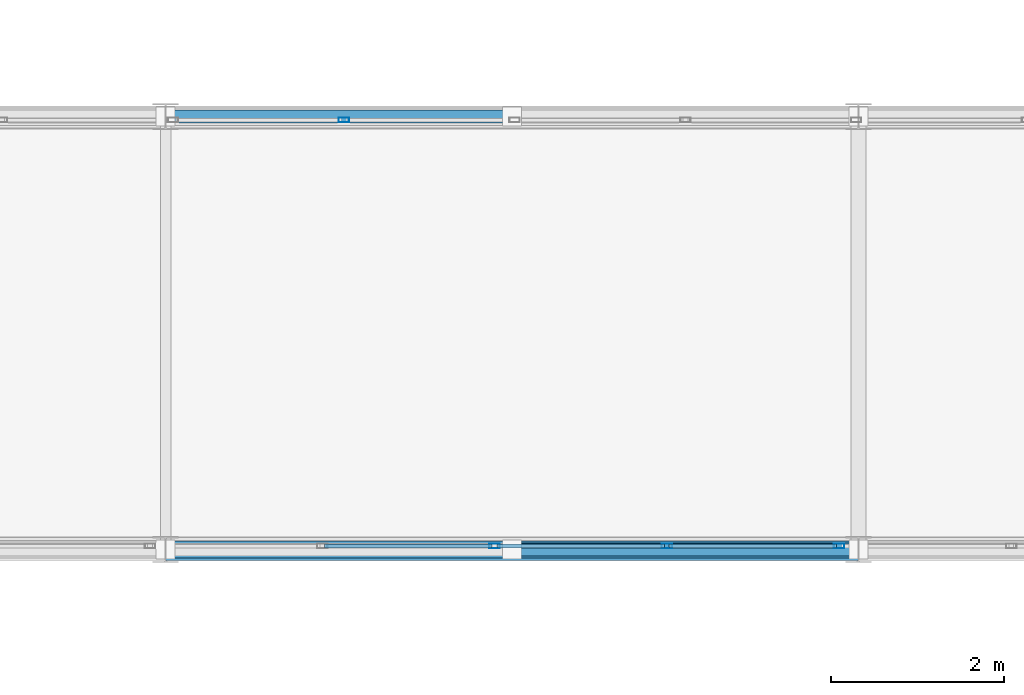
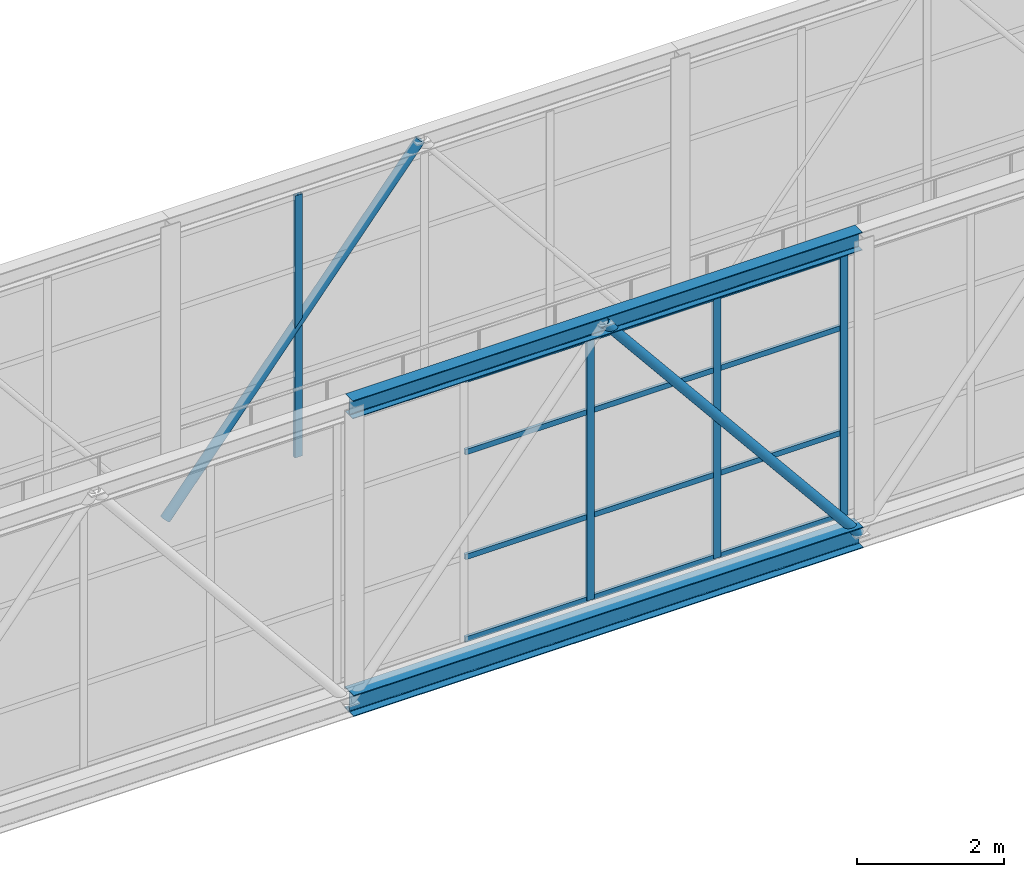
# One storey, part 158 of 248: 20 members, 2 elements without a shape of their own.
"""IFC4 building model written with IfcOpenShell, lengths in metres."""

from ifc_helpers import new_model, si_unit, direction, frame, origin, origin_2d, place, context, subcontext, project, spatial, hollow_rectangle, hollow_circle, i_section, extrude, material, layer, layer_set, material_profile, profile_set, type_object, element, aggregate, save


model = new_model("IFC4")

# Units and contexts
model_context = context("Model", 3, precision=1e-05, world=origin(), true_north=direction((0.0, 1.0)))
body_context = subcontext(model_context, "Body", "Model", "MODEL_VIEW")
ifc_project = project(units=[si_unit("LENGTHUNIT", "METRE"), si_unit("AREAUNIT", "SQUARE_METRE"), si_unit("VOLUMEUNIT", "CUBIC_METRE"), si_unit("PLANEANGLEUNIT", "RADIAN"), si_unit("MASSUNIT", "GRAM", prefix="KILO")], contexts=[model_context])

# Site, building, storey
site_placement = place(None, origin())
site = spatial("IfcSite", under=ifc_project, at=site_placement, CompositionType="ELEMENT")
building_placement = place(site_placement, origin())
building = spatial("IfcBuilding", under=site, at=building_placement, Name="Canggui Botanical Conservatory", CompositionType="ELEMENT")
storey_placement = place(building_placement, frame((0.0, 0.0, 5.39990234375)))
storey = spatial("IfcBuildingStorey", under=building, at=storey_placement, Name="L02", CompositionType="ELEMENT", Elevation=5.39990234375)

# Curtain wall, members
ifc_material_1 = material(Name="Thermally Broken Aluminium", Category="aluminium")
ifc_layer = layer(ifc_material_1, 0.1201171875, Name="Thermally Broken Aluminium", Category="aluminium")
ifc_layer_set = layer_set([ifc_layer], Name="Thermally Broken Aluminium")
curtain_wall_type = type_object("IfcCurtainWallType", Name="CW-STICK-B", PredefinedType="USERDEFINED", material=ifc_layer_set)
curtain_wall_1_placement = place(storey_placement, origin())
curtain_wall_1 = element("IfcCurtainWall", 1, at=curtain_wall_1_placement, inside=storey, type_object=curtain_wall_type, Name="Facade Curtain Wall CW-SB-04-1", ObjectType="STICK GLAZED WALL", PredefinedType="USERDEFINED")
ifc_material_profile_1 = material_profile(ifc_material_1, hollow_rectangle(XDim=0.054931640625, YDim=0.1201171875, WallThickness=0.0029296875, at=origin_2d()), Name="CWM 55x120x3")
ifc_profile_set_1 = profile_set([ifc_material_profile_1], Name="Thermally Broken Aluminium")
member_type_1 = type_object("IfcMemberType", Name="CWM-05", PredefinedType="MULLION", material=ifc_profile_set_1)
member_1_placement = place(storey_placement, frame((101.299072265625, 75.0400390625, 0.0), z_axis=(0.0, 0.0, 1.0), x_axis=(0.0, 1.0, 0.0)))
member_1 = element("IfcMember", 2, at=member_1_placement, type_object=member_type_1, Name="CW-05 mullion 18", PredefinedType="MULLION", context=body_context, shape_type="SweptSolid", body=[
    extrude(hollow_rectangle(XDim=0.054931640625, YDim=0.1201171875, WallThickness=0.0029296875, at=origin_2d()), origin(), (0.0, 0.0, 1.0), 4.35009765625),
])
member_2_placement = place(storey_placement, frame((103.288330078125, 75.0400390625, 0.0), z_axis=(0.0, 0.0, 1.0), x_axis=(0.0, 1.0, 0.0)))
member_2 = element("IfcMember", 3, at=member_2_placement, type_object=member_type_1, Name="CW-05 mullion 19", PredefinedType="MULLION", context=body_context, shape_type="SweptSolid", body=[
    extrude(hollow_rectangle(XDim=0.054931640625, YDim=0.1201171875, WallThickness=0.0029296875, at=origin_2d()), origin(), (0.0, 0.0, 1.0), 4.35009765625),
])
member_3_placement = place(storey_placement, frame((105.27783203125, 75.0400390625, 0.0), z_axis=(0.0, 0.0, 1.0), x_axis=(0.0, 1.0, 0.0)))
member_3 = element("IfcMember", 4, at=member_3_placement, type_object=member_type_1, Name="CW-05 mullion 20", PredefinedType="MULLION", context=body_context, shape_type="SweptSolid", body=[
    extrude(hollow_rectangle(XDim=0.054931640625, YDim=0.1201171875, WallThickness=0.0029296875, at=origin_2d()), origin(), (0.0, 0.0, 1.0), 4.35009765625),
])

# Curtain wall, member
curtain_wall_2_placement = place(storey_placement, origin())
curtain_wall_2 = element("IfcCurtainWall", 5, at=curtain_wall_2_placement, inside=storey, type_object=curtain_wall_type, Name="Facade Curtain Wall CW-SB-04-2", ObjectType="STICK GLAZED WALL", PredefinedType="USERDEFINED")
member_4_placement = place(storey_placement, frame((99.557861328125, 79.9599609375, 0.0), z_axis=(0.0, 0.0, 1.0), x_axis=(0.0, 1.0, 0.0)))
member_4 = element("IfcMember", 6, at=member_4_placement, type_object=member_type_1, Name="CW-05 mullion 18", PredefinedType="MULLION", context=body_context, shape_type="SweptSolid", body=[
    extrude(hollow_rectangle(XDim=0.054931640625, YDim=0.1201171875, WallThickness=0.0029296875, at=origin_2d()), origin(), (0.0, 0.0, 1.0), 4.35009765625),
])
aggregate(curtain_wall_2, [member_4])

# Member
ifc_material_profile_2 = material_profile(ifc_material_1, hollow_rectangle(XDim=0.044921875, YDim=0.090087890625, WallThickness=0.0029296875, at=origin_2d()), Name="CWT 45x90x3")
ifc_profile_set_2 = profile_set([ifc_material_profile_2], Name="Thermally Broken Aluminium")
member_type_2 = type_object("IfcMemberType", Name="CWT-05", PredefinedType="USERDEFINED", material=ifc_profile_set_2)
member_5_placement = place(storey_placement, frame((99.337158203125, 75.0400390625, 0.022705078125), z_axis=(1.0, 0.0, 0.0), x_axis=(0.0, 1.0, 0.0)))
member_5 = element("IfcMember", 7, at=member_5_placement, type_object=member_type_2, Name="CW-05 transom 17.1", ObjectType="TRANSOM", PredefinedType="USERDEFINED", context=body_context, shape_type="SweptSolid", body=[
    extrude(hollow_rectangle(XDim=0.044921875, YDim=0.090087890625, WallThickness=0.0029296875, at=origin_2d()), origin(), (0.0, 0.0, 1.0), 1.934326171875),
])

member_6_placement = place(storey_placement, frame((99.337158203125, 75.0400390625, 1.39208984375), z_axis=(1.0, 0.0, 0.0), x_axis=(0.0, 1.0, 0.0)))
member_6 = element("IfcMember", 8, at=member_6_placement, type_object=member_type_2, Name="CW-05 transom 17.2", ObjectType="TRANSOM", PredefinedType="USERDEFINED", context=body_context, shape_type="SweptSolid", body=[
    extrude(hollow_rectangle(XDim=0.044921875, YDim=0.090087890625, WallThickness=0.0029296875, at=origin_2d()), origin(), (0.0, 0.0, 1.0), 1.934326171875),
])

member_7_placement = place(storey_placement, frame((99.337158203125, 75.0400390625, 3.132080078125), z_axis=(1.0, 0.0, 0.0), x_axis=(0.0, 1.0, 0.0)))
member_7 = element("IfcMember", 9, at=member_7_placement, type_object=member_type_2, Name="CW-05 transom 17.3", ObjectType="TRANSOM", PredefinedType="USERDEFINED", context=body_context, shape_type="SweptSolid", body=[
    extrude(hollow_rectangle(XDim=0.044921875, YDim=0.090087890625, WallThickness=0.0029296875, at=origin_2d()), origin(), (0.0, 0.0, 1.0), 1.934326171875),
])

member_8_placement = place(storey_placement, frame((99.337158203125, 75.0400390625, 4.32763671875), z_axis=(1.0, 0.0, 0.0), x_axis=(0.0, 1.0, 0.0)))
member_8 = element("IfcMember", 10, at=member_8_placement, type_object=member_type_2, Name="CW-05 transom 17.4", ObjectType="TRANSOM", PredefinedType="USERDEFINED", context=body_context, shape_type="SweptSolid", body=[
    extrude(hollow_rectangle(XDim=0.044921875, YDim=0.090087890625, WallThickness=0.0029296875, at=origin_2d()), origin(), (0.0, 0.0, 1.0), 1.934326171875),
])

member_9_placement = place(storey_placement, frame((101.326416015625, 75.0400390625, 0.022705078125), z_axis=(1.0, 0.0, 0.0), x_axis=(0.0, 1.0, 0.0)))
member_9 = element("IfcMember", 11, at=member_9_placement, type_object=member_type_2, Name="CW-05 transom 18.1", ObjectType="TRANSOM", PredefinedType="USERDEFINED", context=body_context, shape_type="SweptSolid", body=[
    extrude(hollow_rectangle(XDim=0.044921875, YDim=0.090087890625, WallThickness=0.0029296875, at=origin_2d()), origin(), (0.0, 0.0, 1.0), 1.9345703125),
])

member_10_placement = place(storey_placement, frame((101.326416015625, 75.0400390625, 1.39208984375), z_axis=(1.0, 0.0, 0.0), x_axis=(0.0, 1.0, 0.0)))
member_10 = element("IfcMember", 12, at=member_10_placement, type_object=member_type_2, Name="CW-05 transom 18.2", ObjectType="TRANSOM", PredefinedType="USERDEFINED", context=body_context, shape_type="SweptSolid", body=[
    extrude(hollow_rectangle(XDim=0.044921875, YDim=0.090087890625, WallThickness=0.0029296875, at=origin_2d()), origin(), (0.0, 0.0, 1.0), 1.9345703125),
])

member_11_placement = place(storey_placement, frame((101.326416015625, 75.0400390625, 3.132080078125), z_axis=(1.0, 0.0, 0.0), x_axis=(0.0, 1.0, 0.0)))
member_11 = element("IfcMember", 13, at=member_11_placement, type_object=member_type_2, Name="CW-05 transom 18.3", ObjectType="TRANSOM", PredefinedType="USERDEFINED", context=body_context, shape_type="SweptSolid", body=[
    extrude(hollow_rectangle(XDim=0.044921875, YDim=0.090087890625, WallThickness=0.0029296875, at=origin_2d()), origin(), (0.0, 0.0, 1.0), 1.9345703125),
])

member_12_placement = place(storey_placement, frame((101.326416015625, 75.0400390625, 4.32763671875), z_axis=(1.0, 0.0, 0.0), x_axis=(0.0, 1.0, 0.0)))
member_12 = element("IfcMember", 14, at=member_12_placement, type_object=member_type_2, Name="CW-05 transom 18.4", ObjectType="TRANSOM", PredefinedType="USERDEFINED", context=body_context, shape_type="SweptSolid", body=[
    extrude(hollow_rectangle(XDim=0.044921875, YDim=0.090087890625, WallThickness=0.0029296875, at=origin_2d()), origin(), (0.0, 0.0, 1.0), 1.9345703125),
])

member_13_placement = place(storey_placement, frame((103.31591796875, 75.0400390625, 0.022705078125), z_axis=(1.0, 0.0, 0.0), x_axis=(0.0, 1.0, 0.0)))
member_13 = element("IfcMember", 15, at=member_13_placement, type_object=member_type_2, Name="CW-05 transom 19.1", ObjectType="TRANSOM", PredefinedType="USERDEFINED", context=body_context, shape_type="SweptSolid", body=[
    extrude(hollow_rectangle(XDim=0.044921875, YDim=0.090087890625, WallThickness=0.0029296875, at=origin_2d()), origin(), (0.0, 0.0, 1.0), 1.934326171875),
])

member_14_placement = place(storey_placement, frame((103.31591796875, 75.0400390625, 1.39208984375), z_axis=(1.0, 0.0, 0.0), x_axis=(0.0, 1.0, 0.0)))
member_14 = element("IfcMember", 16, at=member_14_placement, type_object=member_type_2, Name="CW-05 transom 19.2", ObjectType="TRANSOM", PredefinedType="USERDEFINED", context=body_context, shape_type="SweptSolid", body=[
    extrude(hollow_rectangle(XDim=0.044921875, YDim=0.090087890625, WallThickness=0.0029296875, at=origin_2d()), origin(), (0.0, 0.0, 1.0), 1.934326171875),
])

member_15_placement = place(storey_placement, frame((103.31591796875, 75.0400390625, 3.132080078125), z_axis=(1.0, 0.0, 0.0), x_axis=(0.0, 1.0, 0.0)))
member_15 = element("IfcMember", 17, at=member_15_placement, type_object=member_type_2, Name="CW-05 transom 19.3", ObjectType="TRANSOM", PredefinedType="USERDEFINED", context=body_context, shape_type="SweptSolid", body=[
    extrude(hollow_rectangle(XDim=0.044921875, YDim=0.090087890625, WallThickness=0.0029296875, at=origin_2d()), origin(), (0.0, 0.0, 1.0), 1.934326171875),
])

member_16_placement = place(storey_placement, frame((103.31591796875, 75.0400390625, 4.32763671875), z_axis=(1.0, 0.0, 0.0), x_axis=(0.0, 1.0, 0.0)))
member_16 = element("IfcMember", 18, at=member_16_placement, type_object=member_type_2, Name="CW-05 transom 19.4", ObjectType="TRANSOM", PredefinedType="USERDEFINED", context=body_context, shape_type="SweptSolid", body=[
    extrude(hollow_rectangle(XDim=0.044921875, YDim=0.090087890625, WallThickness=0.0029296875, at=origin_2d()), origin(), (0.0, 0.0, 1.0), 1.934326171875),
])

aggregate(curtain_wall_1, [member_1, member_2, member_3, member_5, member_6, member_7, member_8, member_9, member_10, member_11, member_12, member_13, member_14, member_15, member_16])

# Members
ifc_material_2 = material(Name="Steel Q355C", Category="steel")
ifc_material_profile_3 = material_profile(ifc_material_2, hollow_circle(Radius=0.075927734375, WallThickness=0.006103515625, at=origin_2d()), Name="CHS 152x6")
ifc_profile_set_3 = profile_set([ifc_material_profile_3], Name="Steel Q355C")
member_type_3 = type_object("IfcMemberType", Name="MEM-GSD04", PredefinedType="RAFTER", material=ifc_profile_set_3)
for number, where, z_axis, x_axis, name in (
    (19, (101.5, 75.0, 4.550048828125), (0.632384053133, 0.0, -0.774655026024), (0.0, 1.0, 0.0), "SB-04 Truss Web Rafter 1.6B"),
    (20, (97.5, 80.0, -0.349853515625), (0.632384053133, 0.0, 0.774655026024), (0.0, 1.0, 0.0), "SB-04 Truss Web Rafter 2.6A"),
):
    element("IfcMember", number, at=place(storey_placement, frame(where, z_axis=z_axis, x_axis=x_axis)), inside=storey, type_object=member_type_3, Name=name, PredefinedType="RAFTER", context=body_context, shape_type="SweptSolid", body=[
        extrude(hollow_circle(Radius=0.075927734375, WallThickness=0.006103515625, at=origin_2d()), origin(), (0.0, 0.0, 1.0), 6.3251953125),
    ])
ifc_material_3 = material(Name="Steel Q355B", Category="steel")
ifc_material_profile_4 = material_profile(ifc_material_3, i_section(OverallWidth=0.25, OverallDepth=0.35009765625, WebThickness=0.009033203125, FlangeThickness=0.013916015625, FilletRadius=0.02001953125, at=origin_2d()), Name="HM 350x250x9x14")
ifc_profile_set_4 = profile_set([ifc_material_profile_4], Name="Steel Q355B")
member_type_4 = type_object("IfcMemberType", Name="MEM-TC03", PredefinedType="CHORD", material=ifc_profile_set_4)
member_17_placement = place(storey_placement, frame((97.5, 75.0, -0.349853515625), z_axis=(1.0, 0.0, 0.0), x_axis=(0.0, 1.0, 0.0)))
element("IfcMember", 21, at=member_17_placement, inside=storey, type_object=member_type_4, Name="SB-04 Deck Truss Bottom Chord 1.6", PredefinedType="CHORD", context=body_context, shape_type="SweptSolid", body=[
    extrude(i_section(OverallWidth=0.25, OverallDepth=0.35009765625, WebThickness=0.009033203125, FlangeThickness=0.013916015625, FilletRadius=0.02001953125, at=origin_2d()), origin(), (0.0, 0.0, 1.0), 8.0),
])
ifc_material_profile_5 = material_profile(ifc_material_3, i_section(OverallWidth=0.199951171875, OverallDepth=0.300048828125, WebThickness=0.008056640625, FlangeThickness=0.011962890625, FilletRadius=0.01806640625, at=origin_2d()), Name="HM 300x200x8x12")
ifc_profile_set_5 = profile_set([ifc_material_profile_5], Name="Steel Q355B")
member_type_5 = type_object("IfcMemberType", Name="MEM-TC04", PredefinedType="CHORD", material=ifc_profile_set_5)
member_18_placement = place(storey_placement, frame((97.5, 75.0, 4.550048828125), z_axis=(1.0, 0.0, 0.0), x_axis=(0.0, 1.0, 0.0)))
element("IfcMember", 22, at=member_18_placement, inside=storey, type_object=member_type_5, Name="SB-04 Roof Truss Top Chord 1.6", PredefinedType="CHORD", context=body_context, shape_type="SweptSolid", body=[
    extrude(i_section(OverallWidth=0.199951171875, OverallDepth=0.300048828125, WebThickness=0.008056640625, FlangeThickness=0.011962890625, FilletRadius=0.01806640625, at=origin_2d()), origin(), (0.0, 0.0, 1.0), 8.0),
])

save(model, "model.ifc")
